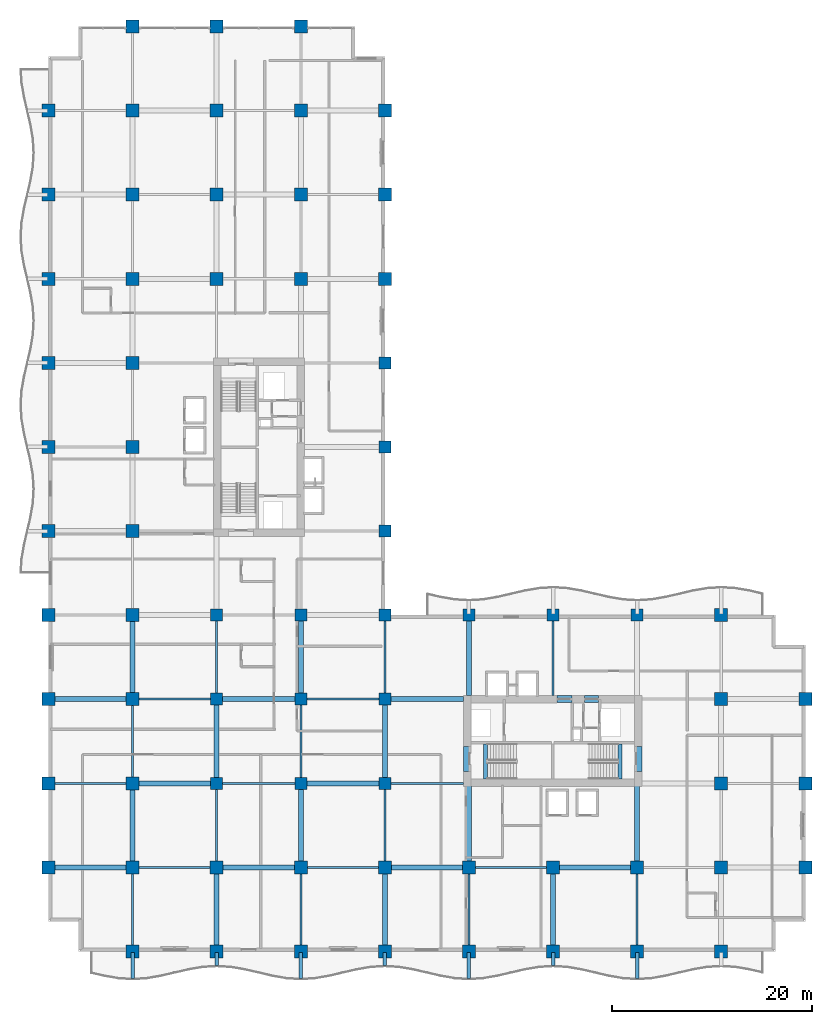
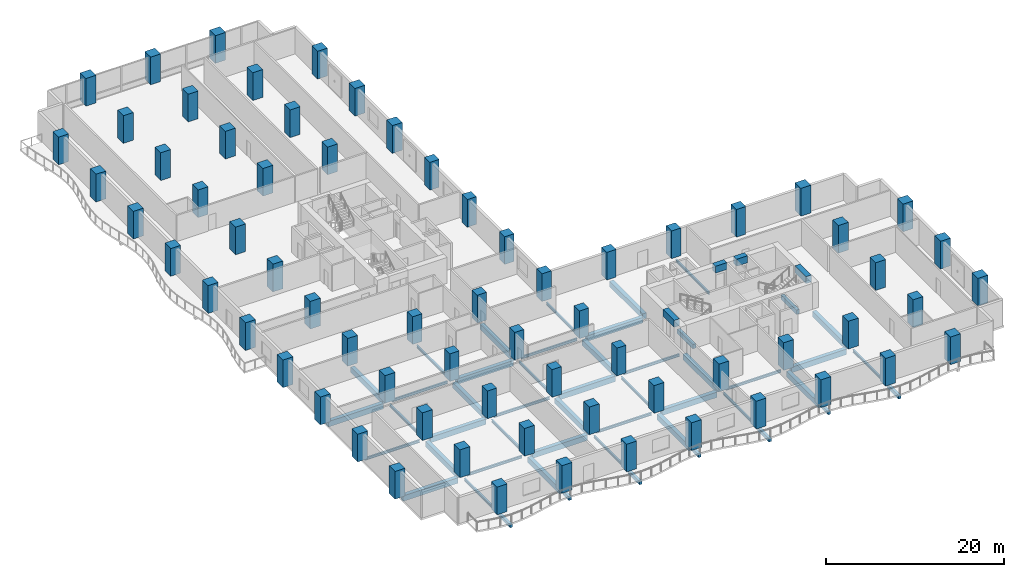
# One storey, part 1 of 22: 68 columns, 53 beams.
"""IFC4 building model written with IfcOpenShell, lengths in metres."""

from ifc_helpers import new_model, si_unit, direction, frame, origin, origin_2d, place, context, subcontext, project, spatial, rectangle, i_section, extrude, material, material_profile, profile_set, type_object, element, save


model = new_model("IFC4")

# Units and contexts
model_context = context("Model", 3, precision=1e-05, world=origin(), true_north=direction((0.0, 1.0)))
body_context = subcontext(model_context, "Body", "Model", "MODEL_VIEW")
ifc_project = project(units=[si_unit("LENGTHUNIT", "METRE"), si_unit("AREAUNIT", "SQUARE_METRE"), si_unit("VOLUMEUNIT", "CUBIC_METRE"), si_unit("PLANEANGLEUNIT", "RADIAN"), si_unit("MASSUNIT", "GRAM", prefix="KILO")], contexts=[model_context])

# Site, building, storey
site_placement = place(None, origin())
site = spatial("IfcSite", under=ifc_project, at=site_placement, CompositionType="ELEMENT")
building_placement = place(site_placement, origin())
building = spatial("IfcBuilding", under=site, at=building_placement, Name="Koriwani Terraces Tower", CompositionType="ELEMENT")
storey_placement = place(building_placement, frame((0.0, 0.0, 141.800048828125)))
storey = spatial("IfcBuildingStorey", under=building, at=storey_placement, Name="L34", CompositionType="ELEMENT", Elevation=141.800048828125)

# Columns
ifc_material_1 = material(Name="Concrete C60/75", Category="concrete")
ifc_material_profile_1 = material_profile(ifc_material_1, rectangle(XDim=1.199951171875, YDim=1.199951171875, at=origin_2d()), Name="Concrete C60/75", Category="LoadBearing")
ifc_profile_set_1 = profile_set([ifc_material_profile_1], Name="Concrete C60/75")
column_type_1 = type_object("IfcColumnType", Name="COL_RC_1200X1200", PredefinedType="COLUMN", material=ifc_profile_set_1)
for number, where, z_axis, x_axis, name in (
    (1, (16.800048828125, 16.800048828125, 0.0), (0.0, 0.0, 1.0), (1.0, 0.0, 0.0), "L34 Column 3/C"),
    (2, (16.800048828125, 25.199951171875, 0.0), (0.0, 0.0, 1.0), (1.0, 0.0, 0.0), "L34 Column 3/D"),
    (3, (16.800048828125, 33.60009765625, 0.0), (0.0, 0.0, 1.0), (1.0, 0.0, 0.0), "L34 Column 3/E"),
    (4, (25.199951171875, 16.800048828125, 0.0), (0.0, 0.0, 1.0), (1.0, 0.0, 0.0), "L34 Column 4/C"),
    (5, (25.199951171875, 25.199951171875, 0.0), (0.0, 0.0, 1.0), (1.0, 0.0, 0.0), "L34 Column 4/D"),
    (6, (25.199951171875, 33.60009765625, 0.0), (0.0, 0.0, 1.0), (1.0, 0.0, 0.0), "L34 Column 4/E"),
    (7, (33.60009765625, 16.800048828125, 0.0), (0.0, 0.0, 1.0), (1.0, 0.0, 0.0), "L34 Column 5/C"),
    (8, (33.60009765625, 25.199951171875, 0.0), (0.0, 0.0, 1.0), (1.0, 0.0, 0.0), "L34 Column 5/D"),
    (9, (33.60009765625, 33.60009765625, 0.0), (0.0, 0.0, 1.0), (1.0, 0.0, 0.0), "L34 Column 5/E"),
    (10, (33.60009765625, 42.0, 0.0), (0.0, 0.0, 1.0), (1.0, 0.0, 0.0), "L34 Column 5/F"),
    (11, (33.60009765625, 50.39990234375, 0.0), (0.0, 0.0, 1.0), (1.0, 0.0, 0.0), "L34 Column 5/G"),
    (12, (33.60009765625, 58.800048828125, 0.0), (0.0, 0.0, 1.0), (1.0, 0.0, 0.0), "L34 Column 5/H"),
    (13, (42.0, 33.60009765625, 0.0), (0.0, 0.0, 1.0), (1.0, 0.0, 0.0), "L34 Column 6/E"),
    (14, (50.39990234375, 33.60009765625, 0.0), (0.0, 0.0, 1.0), (1.0, 0.0, 0.0), "L34 Column 7/E"),
    (15, (58.800048828125, 33.60009765625, 0.0), (0.0, 0.0, 1.0), (1.0, 0.0, 0.0), "L34 Column 8/E"),
):
    element("IfcColumn", number, at=place(storey_placement, frame(where, z_axis=z_axis, x_axis=x_axis)), inside=storey, type_object=column_type_1, Name=name, PredefinedType="COLUMN", context=body_context, shape_type="SweptSolid", body=[
        extrude(rectangle(XDim=1.199951171875, YDim=1.199951171875, at=origin_2d()), origin(), (0.0, 0.0, 1.0), 3.800048828125),
    ])
ifc_material_profile_2 = material_profile(ifc_material_1, rectangle(XDim=1.300048828125, YDim=1.300048828125, at=origin_2d()), Name="Concrete C60/75", Category="LoadBearing")
ifc_profile_set_2 = profile_set([ifc_material_profile_2], Name="Concrete C60/75")
column_type_2 = type_object("IfcColumnType", Name="COL_RC_1300X1300", PredefinedType="COLUMN", material=ifc_profile_set_2)
for number, where, z_axis, x_axis, name in (
    (16, (0.0, 8.39990234375, 0.0), (0.0, 0.0, 1.0), (1.0, 0.0, 0.0), "L34 Column 1/B"),
    (17, (0.0, 16.800048828125, 0.0), (0.0, 0.0, 1.0), (1.0, 0.0, 0.0), "L34 Column 1/C"),
    (18, (0.0, 25.199951171875, 0.0), (0.0, 0.0, 1.0), (1.0, 0.0, 0.0), "L34 Column 1/D"),
    (19, (0.0, 33.60009765625, 0.0), (0.0, 0.0, 1.0), (1.0, 0.0, 0.0), "L34 Column 1/E"),
    (20, (0.0, 42.0, 0.0), (0.0, 0.0, 1.0), (1.0, 0.0, 0.0), "L34 Column 1/F"),
    (21, (0.0, 50.39990234375, 0.0), (0.0, 0.0, 1.0), (1.0, 0.0, 0.0), "L34 Column 1/G"),
    (22, (0.0, 58.800048828125, 0.0), (0.0, 0.0, 1.0), (1.0, 0.0, 0.0), "L34 Column 1/H"),
    (23, (0.0, 67.199951171875, 0.0), (0.0, 0.0, 1.0), (1.0, 0.0, 0.0), "L34 Column 1/I"),
    (24, (0.0, 75.60009765625, 0.0), (0.0, 0.0, 1.0), (1.0, 0.0, 0.0), "L34 Column 1/J"),
    (25, (0.0, 84.0, 0.0), (0.0, 0.0, 1.0), (1.0, 0.0, 0.0), "L34 Column 1/K"),
    (26, (8.39990234375, 0.0, 0.0), (0.0, 0.0, 1.0), (1.0, 0.0, 0.0), "L34 Column 2/A"),
    (27, (8.39990234375, 8.39990234375, 0.0), (0.0, 0.0, 1.0), (1.0, 0.0, 0.0), "L34 Column 2/B"),
    (28, (8.39990234375, 16.800048828125, 0.0), (0.0, 0.0, 1.0), (1.0, 0.0, 0.0), "L34 Column 2/C"),
    (29, (8.39990234375, 25.199951171875, 0.0), (0.0, 0.0, 1.0), (1.0, 0.0, 0.0), "L34 Column 2/D"),
    (30, (8.39990234375, 33.60009765625, 0.0), (0.0, 0.0, 1.0), (1.0, 0.0, 0.0), "L34 Column 2/E"),
    (31, (8.39990234375, 42.0, 0.0), (0.0, 0.0, 1.0), (1.0, 0.0, 0.0), "L34 Column 2/F"),
    (32, (8.39990234375, 50.39990234375, 0.0), (0.0, 0.0, 1.0), (1.0, 0.0, 0.0), "L34 Column 2/G"),
    (33, (8.39990234375, 58.800048828125, 0.0), (0.0, 0.0, 1.0), (1.0, 0.0, 0.0), "L34 Column 2/H"),
    (34, (8.39990234375, 67.199951171875, 0.0), (0.0, 0.0, 1.0), (1.0, 0.0, 0.0), "L34 Column 2/I"),
    (35, (8.39990234375, 75.60009765625, 0.0), (0.0, 0.0, 1.0), (1.0, 0.0, 0.0), "L34 Column 2/J"),
    (36, (8.39990234375, 84.0, 0.0), (0.0, 0.0, 1.0), (1.0, 0.0, 0.0), "L34 Column 2/K"),
    (37, (8.39990234375, 92.39990234375, 0.0), (0.0, 0.0, 1.0), (1.0, 0.0, 0.0), "L34 Column 2/L"),
    (38, (16.800048828125, 0.0, 0.0), (0.0, 0.0, 1.0), (1.0, 0.0, 0.0), "L34 Column 3/A"),
    (39, (16.800048828125, 8.39990234375, 0.0), (0.0, 0.0, 1.0), (1.0, 0.0, 0.0), "L34 Column 3/B"),
    (40, (16.800048828125, 67.199951171875, 0.0), (0.0, 0.0, 1.0), (1.0, 0.0, 0.0), "L34 Column 3/I"),
    (41, (16.800048828125, 75.60009765625, 0.0), (0.0, 0.0, 1.0), (1.0, 0.0, 0.0), "L34 Column 3/J"),
    (42, (16.800048828125, 84.0, 0.0), (0.0, 0.0, 1.0), (1.0, 0.0, 0.0), "L34 Column 3/K"),
    (43, (16.800048828125, 92.39990234375, 0.0), (0.0, 0.0, 1.0), (1.0, 0.0, 0.0), "L34 Column 3/L"),
    (44, (25.199951171875, 0.0, 0.0), (0.0, 0.0, 1.0), (1.0, 0.0, 0.0), "L34 Column 4/A"),
    (45, (25.199951171875, 8.39990234375, 0.0), (0.0, 0.0, 1.0), (1.0, 0.0, 0.0), "L34 Column 4/B"),
    (46, (25.199951171875, 67.199951171875, 0.0), (0.0, 0.0, 1.0), (1.0, 0.0, 0.0), "L34 Column 4/I"),
    (47, (25.199951171875, 75.60009765625, 0.0), (0.0, 0.0, 1.0), (1.0, 0.0, 0.0), "L34 Column 4/J"),
    (48, (25.199951171875, 84.0, 0.0), (0.0, 0.0, 1.0), (1.0, 0.0, 0.0), "L34 Column 4/K"),
    (49, (25.199951171875, 92.39990234375, 0.0), (0.0, 0.0, 1.0), (1.0, 0.0, 0.0), "L34 Column 4/L"),
    (50, (33.60009765625, 0.0, 0.0), (0.0, 0.0, 1.0), (1.0, 0.0, 0.0), "L34 Column 5/A"),
    (51, (33.60009765625, 8.39990234375, 0.0), (0.0, 0.0, 1.0), (1.0, 0.0, 0.0), "L34 Column 5/B"),
    (52, (33.60009765625, 67.199951171875, 0.0), (0.0, 0.0, 1.0), (1.0, 0.0, 0.0), "L34 Column 5/I"),
    (53, (33.60009765625, 75.60009765625, 0.0), (0.0, 0.0, 1.0), (1.0, 0.0, 0.0), "L34 Column 5/J"),
    (54, (33.60009765625, 84.0, 0.0), (0.0, 0.0, 1.0), (1.0, 0.0, 0.0), "L34 Column 5/K"),
    (55, (42.0, 0.0, 0.0), (0.0, 0.0, 1.0), (1.0, 0.0, 0.0), "L34 Column 6/A"),
    (56, (42.0, 8.39990234375, 0.0), (0.0, 0.0, 1.0), (1.0, 0.0, 0.0), "L34 Column 6/B"),
    (57, (50.39990234375, 0.0, 0.0), (0.0, 0.0, 1.0), (1.0, 0.0, 0.0), "L34 Column 7/A"),
    (58, (50.39990234375, 8.39990234375, 0.0), (0.0, 0.0, 1.0), (1.0, 0.0, 0.0), "L34 Column 7/B"),
    (59, (58.800048828125, 0.0, 0.0), (0.0, 0.0, 1.0), (1.0, 0.0, 0.0), "L34 Column 8/A"),
    (60, (58.800048828125, 8.39990234375, 0.0), (0.0, 0.0, 1.0), (1.0, 0.0, 0.0), "L34 Column 8/B"),
    (61, (67.199951171875, 0.0, 0.0), (0.0, 0.0, 1.0), (1.0, 0.0, 0.0), "L34 Column 9/A"),
    (62, (67.199951171875, 8.39990234375, 0.0), (0.0, 0.0, 1.0), (1.0, 0.0, 0.0), "L34 Column 9/B"),
    (63, (67.199951171875, 16.800048828125, 0.0), (0.0, 0.0, 1.0), (1.0, 0.0, 0.0), "L34 Column 9/C"),
    (64, (67.199951171875, 25.199951171875, 0.0), (0.0, 0.0, 1.0), (1.0, 0.0, 0.0), "L34 Column 9/D"),
    (65, (67.199951171875, 33.60009765625, 0.0), (0.0, 0.0, 1.0), (1.0, 0.0, 0.0), "L34 Column 9/E"),
    (66, (75.60009765625, 8.39990234375, 0.0), (0.0, 0.0, 1.0), (1.0, 0.0, 0.0), "L34 Column 10/B"),
    (67, (75.60009765625, 16.800048828125, 0.0), (0.0, 0.0, 1.0), (1.0, 0.0, 0.0), "L34 Column 10/C"),
    (68, (75.60009765625, 25.199951171875, 0.0), (0.0, 0.0, 1.0), (1.0, 0.0, 0.0), "L34 Column 10/D"),
):
    element("IfcColumn", number, at=place(storey_placement, frame(where, z_axis=z_axis, x_axis=x_axis)), inside=storey, type_object=column_type_2, Name=name, PredefinedType="COLUMN", context=body_context, shape_type="SweptSolid", body=[
        extrude(rectangle(XDim=1.300048828125, YDim=1.300048828125, at=origin_2d()), origin(), (0.0, 0.0, 1.0), 3.800048828125),
    ])

# Beams
ifc_material_2 = material(Name="Concrete C40/50", Category="concrete")
ifc_material_profile_3 = material_profile(ifc_material_2, rectangle(XDim=0.35009765625, YDim=0.449951171875, at=origin_2d()), Name="Concrete C40/50", Category="LoadBearing")
ifc_profile_set_3 = profile_set([ifc_material_profile_3], Name="Concrete C40/50")
beam_type_1 = type_object("IfcBeamType", Name="BEAM_RC_BALCONY_RIB_350X450", PredefinedType="JOIST", material=ifc_profile_set_3)
beam_1_placement = place(storey_placement, frame((8.39990234375, -2.699951171875, -0.47509765625), z_axis=(0.0, 1.0, 0.0), x_axis=(-1.0, 0.0, 0.0)))
element("IfcBeam", 69, at=beam_1_placement, inside=storey, type_object=beam_type_1, Name="L34 Balcony Bracket Rib S-1", PredefinedType="JOIST", context=body_context, shape_type="SweptSolid", body=[
    extrude(rectangle(XDim=0.35009765625, YDim=0.449951171875, at=origin_2d()), origin(), (0.0, 0.0, 1.0), 2.599853515625),
])
beam_2_placement = place(storey_placement, frame((16.800048828125, -1.39990234375, -0.47509765625), z_axis=(0.0, 1.0, 0.0), x_axis=(-1.0, 0.0, 0.0)))
element("IfcBeam", 70, at=beam_2_placement, inside=storey, type_object=beam_type_1, Name="L34 Balcony Bracket Rib S-2", PredefinedType="JOIST", context=body_context, shape_type="SweptSolid", body=[
    extrude(rectangle(XDim=0.35009765625, YDim=0.449951171875, at=origin_2d()), origin(), (0.0, 0.0, 1.0), 1.2998046875),
])
beam_3_placement = place(storey_placement, frame((25.199951171875, -2.699951171875, -0.47509765625), z_axis=(0.0, 1.0, 0.0), x_axis=(-1.0, 0.0, 0.0)))
element("IfcBeam", 71, at=beam_3_placement, inside=storey, type_object=beam_type_1, Name="L34 Balcony Bracket Rib S-3", PredefinedType="JOIST", context=body_context, shape_type="SweptSolid", body=[
    extrude(rectangle(XDim=0.35009765625, YDim=0.449951171875, at=origin_2d()), origin(), (0.0, 0.0, 1.0), 2.599853515625),
])
beam_4_placement = place(storey_placement, frame((33.60009765625, -1.39990234375, -0.47509765625), z_axis=(0.0, 1.0, 0.0), x_axis=(-1.0, 0.0, 0.0)))
element("IfcBeam", 72, at=beam_4_placement, inside=storey, type_object=beam_type_1, Name="L34 Balcony Bracket Rib S-4", PredefinedType="JOIST", context=body_context, shape_type="SweptSolid", body=[
    extrude(rectangle(XDim=0.35009765625, YDim=0.449951171875, at=origin_2d()), origin(), (0.0, 0.0, 1.0), 1.2998046875),
])
beam_5_placement = place(storey_placement, frame((42.0, -2.699951171875, -0.47509765625), z_axis=(0.0, 1.0, 0.0), x_axis=(-1.0, 0.0, 0.0)))
element("IfcBeam", 73, at=beam_5_placement, inside=storey, type_object=beam_type_1, Name="L34 Balcony Bracket Rib S-5", PredefinedType="JOIST", context=body_context, shape_type="SweptSolid", body=[
    extrude(rectangle(XDim=0.35009765625, YDim=0.449951171875, at=origin_2d()), origin(), (0.0, 0.0, 1.0), 2.599853515625),
])
beam_6_placement = place(storey_placement, frame((50.39990234375, -1.39990234375, -0.47509765625), z_axis=(0.0, 1.0, 0.0), x_axis=(-1.0, 0.0, 0.0)))
element("IfcBeam", 74, at=beam_6_placement, inside=storey, type_object=beam_type_1, Name="L34 Balcony Bracket Rib S-6", PredefinedType="JOIST", context=body_context, shape_type="SweptSolid", body=[
    extrude(rectangle(XDim=0.35009765625, YDim=0.449951171875, at=origin_2d()), origin(), (0.0, 0.0, 1.0), 1.2998046875),
])
beam_7_placement = place(storey_placement, frame((58.800048828125, -2.699951171875, -0.47509765625), z_axis=(0.0, 1.0, 0.0), x_axis=(-1.0, 0.0, 0.0)))
element("IfcBeam", 75, at=beam_7_placement, inside=storey, type_object=beam_type_1, Name="L34 Balcony Bracket Rib S-7", PredefinedType="JOIST", context=body_context, shape_type="SweptSolid", body=[
    extrude(rectangle(XDim=0.35009765625, YDim=0.449951171875, at=origin_2d()), origin(), (0.0, 0.0, 1.0), 2.599853515625),
])
ifc_material_profile_4 = material_profile(ifc_material_1, rectangle(XDim=0.699951171875, YDim=0.949951171875, at=origin_2d()), Name="Concrete C60/75", Category="LoadBearing")
ifc_profile_set_4 = profile_set([ifc_material_profile_4], Name="Concrete C60/75")
beam_type_2 = type_object("IfcBeamType", Name="BEAM_RC_COUPLING_700X950", PredefinedType="LINTEL", material=ifc_profile_set_4)
beam_8_placement = place(storey_placement, frame((50.800048828125, 25.199951171875, 3.074951171875), z_axis=(1.0, 0.0, 0.0), x_axis=(0.0, 1.0, 0.0)))
element("IfcBeam", 76, at=beam_8_placement, inside=storey, type_object=beam_type_2, Name="L34 Core Coupling Lintel Beam EN1", PredefinedType="LINTEL", context=body_context, shape_type="SweptSolid", body=[
    extrude(rectangle(XDim=0.699951171875, YDim=0.949951171875, at=origin_2d()), origin(), (0.0, 0.0, 1.0), 1.47998046875),
])
beam_9_placement = place(storey_placement, frame((53.550048828125, 25.199951171875, 3.074951171875), z_axis=(1.0, 0.0, 0.0), x_axis=(0.0, 1.0, 0.0)))
element("IfcBeam", 77, at=beam_9_placement, inside=storey, type_object=beam_type_2, Name="L34 Core Coupling Lintel Beam EN2", PredefinedType="LINTEL", context=body_context, shape_type="SweptSolid", body=[
    extrude(rectangle(XDim=0.699951171875, YDim=0.949951171875, at=origin_2d()), origin(), (0.0, 0.0, 1.0), 1.39990234375),
])
for number, where, z_axis, x_axis, name in (
    (78, (41.824951171875, 18.0, 3.074951171875), (0.0, 1.0, 0.0), (-1.0, 0.0, 0.0), "L34 Core Coupling Lintel Beam EW"),
    (79, (58.925048828125, 18.0, 3.074951171875), (0.0, 1.0, 0.0), (-1.0, 0.0, 0.0), "L34 Core Coupling Lintel Beam EE"),
):
    element("IfcBeam", number, at=place(storey_placement, frame(where, z_axis=z_axis, x_axis=x_axis)), inside=storey, type_object=beam_type_2, Name=name, PredefinedType="LINTEL", context=body_context, shape_type="SweptSolid", body=[
        extrude(rectangle(XDim=0.699951171875, YDim=0.949951171875, at=origin_2d()), origin(), (0.0, 0.0, 1.0), 2.5),
    ])
ifc_material_profile_5 = material_profile(ifc_material_2, rectangle(XDim=0.39990234375, YDim=0.60009765625, at=origin_2d()), Name="Concrete C40/50", Category="LoadBearing")
ifc_profile_set_5 = profile_set([ifc_material_profile_5], Name="Concrete C40/50")
beam_type_3 = type_object("IfcBeamType", Name="BEAM_RC_GRID_400X600", PredefinedType="BEAM", material=ifc_profile_set_5)
for number, where, z_axis, x_axis, name in (
    (80, (43.655029296875, 17.25, -0.300048828125), (0.0, 1.0, 0.0), (-1.0, 0.0, 0.0), "L34 Stairwell Header Trimmer Beam ST-E1"),
    (81, (57.094970703125, 17.25, -0.300048828125), (0.0, 1.0, 0.0), (-1.0, 0.0, 0.0), "L34 Stairwell Header Trimmer Beam ST-E2"),
):
    element("IfcBeam", number, at=place(storey_placement, frame(where, z_axis=z_axis, x_axis=x_axis)), inside=storey, type_object=beam_type_3, Name=name, PredefinedType="BEAM", context=body_context, shape_type="SweptSolid", body=[
        extrude(rectangle(XDim=0.39990234375, YDim=0.60009765625, at=origin_2d()), origin(), (0.0, 0.0, 1.0), 3.5),
    ])
ifc_material_3 = material(Name="Concrete C50/60", Category="concrete")
ifc_material_profile_6 = material_profile(ifc_material_3, rectangle(XDim=0.5, YDim=0.75, at=origin_2d()), Name="Concrete C50/60", Category="LoadBearing")
ifc_profile_set_6 = profile_set([ifc_material_profile_6], Name="Concrete C50/60")
beam_type_4 = type_object("IfcBeamType", Name="BEAM_RC_GRID_500X750", PredefinedType="BEAM", material=ifc_profile_set_6)
for number, where, z_axis, x_axis, name in (
    (82, (0.6298828125, 8.39990234375, -0.625), (1.0, 0.0, 0.0), (0.0, 1.0, 0.0), "L34 Grid Beam B (0.0-8.4m)"),
    (83, (17.429931640625, 8.39990234375, -0.625), (1.0, 0.0, 0.0), (0.0, 1.0, 0.0), "L34 Grid Beam B (16.8-25.2m)"),
    (84, (34.22998046875, 8.39990234375, -0.625), (1.0, 0.0, 0.0), (0.0, 1.0, 0.0), "L34 Grid Beam B (33.6-42.0m)"),
):
    element("IfcBeam", number, at=place(storey_placement, frame(where, z_axis=z_axis, x_axis=x_axis)), inside=storey, type_object=beam_type_4, Name=name, PredefinedType="BEAM", context=body_context, shape_type="SweptSolid", body=[
        extrude(rectangle(XDim=0.5, YDim=0.75, at=origin_2d()), origin(), (0.0, 0.0, 1.0), 7.14013671875),
    ])
beam_10_placement = place(storey_placement, frame((51.030029296875, 8.39990234375, -0.625), z_axis=(1.0, 0.0, 0.0), x_axis=(0.0, 1.0, 0.0)))
element("IfcBeam", 85, at=beam_10_placement, inside=storey, type_object=beam_type_4, Name="L34 Grid Beam B (50.4-58.8m)", PredefinedType="BEAM", context=body_context, shape_type="SweptSolid", body=[
    extrude(rectangle(XDim=0.5, YDim=0.75, at=origin_2d()), origin(), (0.0, 0.0, 1.0), 7.139892578125),
])
beam_11_placement = place(storey_placement, frame((9.030029296875, 16.800048828125, -0.625), z_axis=(1.0, 0.0, 0.0), x_axis=(0.0, 1.0, 0.0)))
element("IfcBeam", 86, at=beam_11_placement, inside=storey, type_object=beam_type_4, Name="L34 Grid Beam C (8.4-16.8m)", PredefinedType="BEAM", context=body_context, shape_type="SweptSolid", body=[
    extrude(rectangle(XDim=0.5, YDim=0.75, at=origin_2d()), origin(), (0.0, 0.0, 1.0), 7.18994140625),
])
beam_12_placement = place(storey_placement, frame((25.780029296875, 16.800048828125, -0.625), z_axis=(1.0, 0.0, 0.0), x_axis=(0.0, 1.0, 0.0)))
element("IfcBeam", 87, at=beam_12_placement, inside=storey, type_object=beam_type_4, Name="L34 Grid Beam C (25.2-33.6m)", PredefinedType="BEAM", context=body_context, shape_type="SweptSolid", body=[
    extrude(rectangle(XDim=0.5, YDim=0.75, at=origin_2d()), origin(), (0.0, 0.0, 1.0), 7.239990234375),
])
beam_13_placement = place(storey_placement, frame((0.6298828125, 25.199951171875, -0.625), z_axis=(1.0, 0.0, 0.0), x_axis=(0.0, 1.0, 0.0)))
element("IfcBeam", 88, at=beam_13_placement, inside=storey, type_object=beam_type_4, Name="L34 Grid Beam D (0.0-8.4m)", PredefinedType="BEAM", context=body_context, shape_type="SweptSolid", body=[
    extrude(rectangle(XDim=0.5, YDim=0.75, at=origin_2d()), origin(), (0.0, 0.0, 1.0), 7.14013671875),
])
beam_14_placement = place(storey_placement, frame((17.3798828125, 25.199951171875, -0.625), z_axis=(1.0, 0.0, 0.0), x_axis=(0.0, 1.0, 0.0)))
element("IfcBeam", 89, at=beam_14_placement, inside=storey, type_object=beam_type_4, Name="L34 Grid Beam D (16.8-25.2m)", PredefinedType="BEAM", context=body_context, shape_type="SweptSolid", body=[
    extrude(rectangle(XDim=0.5, YDim=0.75, at=origin_2d()), origin(), (0.0, 0.0, 1.0), 7.240234375),
])
beam_15_placement = place(storey_placement, frame((34.179931640625, 25.199951171875, -0.625), z_axis=(1.0, 0.0, 0.0), x_axis=(0.0, 1.0, 0.0)))
element("IfcBeam", 90, at=beam_15_placement, inside=storey, type_object=beam_type_4, Name="L34 Grid Beam D (33.6-42.0m)", PredefinedType="BEAM", context=body_context, shape_type="SweptSolid", body=[
    extrude(rectangle(XDim=0.5, YDim=0.75, at=origin_2d()), origin(), (0.0, 0.0, 1.0), 7.2900390625),
])
for number, where, z_axis, x_axis, name in (
    (91, (8.39990234375, 9.030029296875, -0.625), (0.0, 1.0, 0.0), (-1.0, 0.0, 0.0), "L34 Grid Beam 2 (8.4-16.8m)"),
    (92, (8.39990234375, 25.830078125, -0.625), (0.0, 1.0, 0.0), (-1.0, 0.0, 0.0), "L34 Grid Beam 2 (25.2-33.6m)"),
):
    element("IfcBeam", number, at=place(storey_placement, frame(where, z_axis=z_axis, x_axis=x_axis)), inside=storey, type_object=beam_type_4, Name=name, PredefinedType="BEAM", context=body_context, shape_type="SweptSolid", body=[
        extrude(rectangle(XDim=0.5, YDim=0.75, at=origin_2d()), origin(), (0.0, 0.0, 1.0), 7.139892578125),
    ])
beam_16_placement = place(storey_placement, frame((16.800048828125, 0.6298828125, -0.625), z_axis=(0.0, 1.0, 0.0), x_axis=(-1.0, 0.0, 0.0)))
element("IfcBeam", 93, at=beam_16_placement, inside=storey, type_object=beam_type_4, Name="L34 Grid Beam 3 (0.0-8.4m)", PredefinedType="BEAM", context=body_context, shape_type="SweptSolid", body=[
    extrude(rectangle(XDim=0.5, YDim=0.75, at=origin_2d()), origin(), (0.0, 0.0, 1.0), 7.14013671875),
])
beam_17_placement = place(storey_placement, frame((16.800048828125, 17.3798828125, -0.625), z_axis=(0.0, 1.0, 0.0), x_axis=(-1.0, 0.0, 0.0)))
element("IfcBeam", 94, at=beam_17_placement, inside=storey, type_object=beam_type_4, Name="L34 Grid Beam 3 (16.8-25.2m)", PredefinedType="BEAM", context=body_context, shape_type="SweptSolid", body=[
    extrude(rectangle(XDim=0.5, YDim=0.75, at=origin_2d()), origin(), (0.0, 0.0, 1.0), 7.240234375),
])
beam_18_placement = place(storey_placement, frame((25.199951171875, 9.030029296875, -0.625), z_axis=(0.0, 1.0, 0.0), x_axis=(-1.0, 0.0, 0.0)))
element("IfcBeam", 95, at=beam_18_placement, inside=storey, type_object=beam_type_4, Name="L34 Grid Beam 4 (8.4-16.8m)", PredefinedType="BEAM", context=body_context, shape_type="SweptSolid", body=[
    extrude(rectangle(XDim=0.5, YDim=0.75, at=origin_2d()), origin(), (0.0, 0.0, 1.0), 7.18994140625),
])
beam_19_placement = place(storey_placement, frame((25.199951171875, 25.780029296875, -0.625), z_axis=(0.0, 1.0, 0.0), x_axis=(-1.0, 0.0, 0.0)))
element("IfcBeam", 96, at=beam_19_placement, inside=storey, type_object=beam_type_4, Name="L34 Grid Beam 4 (25.2-33.6m)", PredefinedType="BEAM", context=body_context, shape_type="SweptSolid", body=[
    extrude(rectangle(XDim=0.5, YDim=0.75, at=origin_2d()), origin(), (0.0, 0.0, 1.0), 7.239990234375),
])
beam_20_placement = place(storey_placement, frame((33.60009765625, 0.6298828125, -0.625), z_axis=(0.0, 1.0, 0.0), x_axis=(-1.0, 0.0, 0.0)))
element("IfcBeam", 97, at=beam_20_placement, inside=storey, type_object=beam_type_4, Name="L34 Grid Beam 5 (0.0-8.4m)", PredefinedType="BEAM", context=body_context, shape_type="SweptSolid", body=[
    extrude(rectangle(XDim=0.5, YDim=0.75, at=origin_2d()), origin(), (0.0, 0.0, 1.0), 7.14013671875),
])
beam_21_placement = place(storey_placement, frame((33.60009765625, 17.3798828125, -0.625), z_axis=(0.0, 1.0, 0.0), x_axis=(-1.0, 0.0, 0.0)))
element("IfcBeam", 98, at=beam_21_placement, inside=storey, type_object=beam_type_4, Name="L34 Grid Beam 5 (16.8-25.2m)", PredefinedType="BEAM", context=body_context, shape_type="SweptSolid", body=[
    extrude(rectangle(XDim=0.5, YDim=0.75, at=origin_2d()), origin(), (0.0, 0.0, 1.0), 7.240234375),
])
beam_22_placement = place(storey_placement, frame((42.0, 9.030029296875, -0.625), z_axis=(0.0, 1.0, 0.0), x_axis=(-1.0, 0.0, 0.0)))
element("IfcBeam", 99, at=beam_22_placement, inside=storey, type_object=beam_type_4, Name="L34 Grid Beam 6 (8.4-16.8m)", PredefinedType="BEAM", context=body_context, shape_type="SweptSolid", body=[
    extrude(rectangle(XDim=0.5, YDim=0.75, at=origin_2d()), origin(), (0.0, 0.0, 1.0), 7.489990234375),
])
beam_23_placement = place(storey_placement, frame((42.0, 25.554931640625, -0.625), z_axis=(0.0, 1.0, 0.0), x_axis=(-1.0, 0.0, 0.0)))
element("IfcBeam", 100, at=beam_23_placement, inside=storey, type_object=beam_type_4, Name="L34 Grid Beam 6 (25.2-33.6m)", PredefinedType="BEAM", context=body_context, shape_type="SweptSolid", body=[
    extrude(rectangle(XDim=0.5, YDim=0.75, at=origin_2d()), origin(), (0.0, 0.0, 1.0), 7.465087890625),
])
beam_24_placement = place(storey_placement, frame((50.39990234375, 0.6298828125, -0.625), z_axis=(0.0, 1.0, 0.0), x_axis=(-1.0, 0.0, 0.0)))
element("IfcBeam", 101, at=beam_24_placement, inside=storey, type_object=beam_type_4, Name="L34 Grid Beam 7 (0.0-8.4m)", PredefinedType="BEAM", context=body_context, shape_type="SweptSolid", body=[
    extrude(rectangle(XDim=0.5, YDim=0.75, at=origin_2d()), origin(), (0.0, 0.0, 1.0), 7.14013671875),
])
beam_25_placement = place(storey_placement, frame((58.800048828125, 9.030029296875, -0.625), z_axis=(0.0, 1.0, 0.0), x_axis=(-1.0, 0.0, 0.0)))
element("IfcBeam", 102, at=beam_25_placement, inside=storey, type_object=beam_type_4, Name="L34 Grid Beam 8 (8.4-16.8m)", PredefinedType="BEAM", context=body_context, shape_type="SweptSolid", body=[
    extrude(rectangle(XDim=0.5, YDim=0.75, at=origin_2d()), origin(), (0.0, 0.0, 1.0), 7.489990234375),
])
ifc_material_4 = material(Name="Steel ASTM A572 Grade 50", Category="steel")
ifc_material_profile_7 = material_profile(ifc_material_4, i_section(OverallWidth=0.205078125, OverallDepth=0.35400390625, WebThickness=0.009521484375, FlangeThickness=0.016845703125, at=origin_2d()), Name="Steel ASTM A572 Grade 50", Category="LoadBearing")
ifc_profile_set_7 = profile_set([ifc_material_profile_7], Name="Steel ASTM A572 Grade 50")
beam_type_5 = type_object("IfcBeamType", Name="STEEL_BEAM_W360X79", PredefinedType="JOIST", material=ifc_profile_set_7)
for number, where, z_axis, x_axis, name in (
    (103, (9.030029296875, 8.39990234375, -0.427001953125), (1.0, 0.0, 0.0), (0.0, 1.0, 0.0), "L34 Grid Beam B (8.4-16.8m)"),
    (104, (25.830078125, 8.39990234375, -0.427001953125), (1.0, 0.0, 0.0), (0.0, 1.0, 0.0), "L34 Grid Beam B (25.2-33.6m)"),
):
    element("IfcBeam", number, at=place(storey_placement, frame(where, z_axis=z_axis, x_axis=x_axis)), inside=storey, type_object=beam_type_5, Name=name, PredefinedType="JOIST", context=body_context, shape_type="SweptSolid", body=[
        extrude(i_section(OverallWidth=0.205078125, OverallDepth=0.35400390625, WebThickness=0.009521484375, FlangeThickness=0.016845703125, at=origin_2d()), origin(), (0.0, 0.0, 1.0), 7.139892578125),
    ])
for number, where, z_axis, x_axis, name in (
    (105, (42.6298828125, 8.39990234375, -0.427001953125), (1.0, 0.0, 0.0), (0.0, 1.0, 0.0), "L34 Grid Beam B (42.0-50.4m)"),
    (106, (0.6298828125, 16.800048828125, -0.427001953125), (1.0, 0.0, 0.0), (0.0, 1.0, 0.0), "L34 Grid Beam C (0.0-8.4m)"),
):
    element("IfcBeam", number, at=place(storey_placement, frame(where, z_axis=z_axis, x_axis=x_axis)), inside=storey, type_object=beam_type_5, Name=name, PredefinedType="JOIST", context=body_context, shape_type="SweptSolid", body=[
        extrude(i_section(OverallWidth=0.205078125, OverallDepth=0.35400390625, WebThickness=0.009521484375, FlangeThickness=0.016845703125, at=origin_2d()), origin(), (0.0, 0.0, 1.0), 7.14013671875),
    ])
beam_26_placement = place(storey_placement, frame((17.3798828125, 16.800048828125, -0.427001953125), z_axis=(1.0, 0.0, 0.0), x_axis=(0.0, 1.0, 0.0)))
element("IfcBeam", 107, at=beam_26_placement, inside=storey, type_object=beam_type_5, Name="L34 Grid Beam C (16.8-25.2m)", PredefinedType="JOIST", context=body_context, shape_type="SweptSolid", body=[
    extrude(i_section(OverallWidth=0.205078125, OverallDepth=0.35400390625, WebThickness=0.009521484375, FlangeThickness=0.016845703125, at=origin_2d()), origin(), (0.0, 0.0, 1.0), 7.240234375),
])
beam_27_placement = place(storey_placement, frame((34.179931640625, 16.800048828125, -0.427001953125), z_axis=(1.0, 0.0, 0.0), x_axis=(0.0, 1.0, 0.0)))
element("IfcBeam", 108, at=beam_27_placement, inside=storey, type_object=beam_type_5, Name="L34 Grid Beam C (33.6-42.0m)", PredefinedType="JOIST", context=body_context, shape_type="SweptSolid", body=[
    extrude(i_section(OverallWidth=0.205078125, OverallDepth=0.35400390625, WebThickness=0.009521484375, FlangeThickness=0.016845703125, at=origin_2d()), origin(), (0.0, 0.0, 1.0), 7.2900390625),
])
beam_28_placement = place(storey_placement, frame((9.030029296875, 25.199951171875, -0.427001953125), z_axis=(1.0, 0.0, 0.0), x_axis=(0.0, 1.0, 0.0)))
element("IfcBeam", 109, at=beam_28_placement, inside=storey, type_object=beam_type_5, Name="L34 Grid Beam D (8.4-16.8m)", PredefinedType="JOIST", context=body_context, shape_type="SweptSolid", body=[
    extrude(i_section(OverallWidth=0.205078125, OverallDepth=0.35400390625, WebThickness=0.009521484375, FlangeThickness=0.016845703125, at=origin_2d()), origin(), (0.0, 0.0, 1.0), 7.18994140625),
])
beam_29_placement = place(storey_placement, frame((25.780029296875, 25.199951171875, -0.427001953125), z_axis=(1.0, 0.0, 0.0), x_axis=(0.0, 1.0, 0.0)))
element("IfcBeam", 110, at=beam_29_placement, inside=storey, type_object=beam_type_5, Name="L34 Grid Beam D (25.2-33.6m)", PredefinedType="JOIST", context=body_context, shape_type="SweptSolid", body=[
    extrude(i_section(OverallWidth=0.205078125, OverallDepth=0.35400390625, WebThickness=0.009521484375, FlangeThickness=0.016845703125, at=origin_2d()), origin(), (0.0, 0.0, 1.0), 7.239990234375),
])
for number, where, z_axis, x_axis, name in (
    (111, (8.39990234375, 0.6298828125, -0.427001953125), (0.0, 1.0, 0.0), (-1.0, 0.0, 0.0), "L34 Grid Beam 2 (0.0-8.4m)"),
    (112, (8.39990234375, 17.429931640625, -0.427001953125), (0.0, 1.0, 0.0), (-1.0, 0.0, 0.0), "L34 Grid Beam 2 (16.8-25.2m)"),
):
    element("IfcBeam", number, at=place(storey_placement, frame(where, z_axis=z_axis, x_axis=x_axis)), inside=storey, type_object=beam_type_5, Name=name, PredefinedType="JOIST", context=body_context, shape_type="SweptSolid", body=[
        extrude(i_section(OverallWidth=0.205078125, OverallDepth=0.35400390625, WebThickness=0.009521484375, FlangeThickness=0.016845703125, at=origin_2d()), origin(), (0.0, 0.0, 1.0), 7.14013671875),
    ])
beam_30_placement = place(storey_placement, frame((16.800048828125, 9.030029296875, -0.427001953125), z_axis=(0.0, 1.0, 0.0), x_axis=(-1.0, 0.0, 0.0)))
element("IfcBeam", 113, at=beam_30_placement, inside=storey, type_object=beam_type_5, Name="L34 Grid Beam 3 (8.4-16.8m)", PredefinedType="JOIST", context=body_context, shape_type="SweptSolid", body=[
    extrude(i_section(OverallWidth=0.205078125, OverallDepth=0.35400390625, WebThickness=0.009521484375, FlangeThickness=0.016845703125, at=origin_2d()), origin(), (0.0, 0.0, 1.0), 7.18994140625),
])
beam_31_placement = place(storey_placement, frame((16.800048828125, 25.780029296875, -0.427001953125), z_axis=(0.0, 1.0, 0.0), x_axis=(-1.0, 0.0, 0.0)))
element("IfcBeam", 114, at=beam_31_placement, inside=storey, type_object=beam_type_5, Name="L34 Grid Beam 3 (25.2-33.6m)", PredefinedType="JOIST", context=body_context, shape_type="SweptSolid", body=[
    extrude(i_section(OverallWidth=0.205078125, OverallDepth=0.35400390625, WebThickness=0.009521484375, FlangeThickness=0.016845703125, at=origin_2d()), origin(), (0.0, 0.0, 1.0), 7.239990234375),
])
beam_32_placement = place(storey_placement, frame((25.199951171875, 0.6298828125, -0.427001953125), z_axis=(0.0, 1.0, 0.0), x_axis=(-1.0, 0.0, 0.0)))
element("IfcBeam", 115, at=beam_32_placement, inside=storey, type_object=beam_type_5, Name="L34 Grid Beam 4 (0.0-8.4m)", PredefinedType="JOIST", context=body_context, shape_type="SweptSolid", body=[
    extrude(i_section(OverallWidth=0.205078125, OverallDepth=0.35400390625, WebThickness=0.009521484375, FlangeThickness=0.016845703125, at=origin_2d()), origin(), (0.0, 0.0, 1.0), 7.14013671875),
])
beam_33_placement = place(storey_placement, frame((25.199951171875, 17.3798828125, -0.427001953125), z_axis=(0.0, 1.0, 0.0), x_axis=(-1.0, 0.0, 0.0)))
element("IfcBeam", 116, at=beam_33_placement, inside=storey, type_object=beam_type_5, Name="L34 Grid Beam 4 (16.8-25.2m)", PredefinedType="JOIST", context=body_context, shape_type="SweptSolid", body=[
    extrude(i_section(OverallWidth=0.205078125, OverallDepth=0.35400390625, WebThickness=0.009521484375, FlangeThickness=0.016845703125, at=origin_2d()), origin(), (0.0, 0.0, 1.0), 7.240234375),
])
beam_34_placement = place(storey_placement, frame((33.60009765625, 9.030029296875, -0.427001953125), z_axis=(0.0, 1.0, 0.0), x_axis=(-1.0, 0.0, 0.0)))
element("IfcBeam", 117, at=beam_34_placement, inside=storey, type_object=beam_type_5, Name="L34 Grid Beam 5 (8.4-16.8m)", PredefinedType="JOIST", context=body_context, shape_type="SweptSolid", body=[
    extrude(i_section(OverallWidth=0.205078125, OverallDepth=0.35400390625, WebThickness=0.009521484375, FlangeThickness=0.016845703125, at=origin_2d()), origin(), (0.0, 0.0, 1.0), 7.18994140625),
])
beam_35_placement = place(storey_placement, frame((33.60009765625, 25.780029296875, -0.427001953125), z_axis=(0.0, 1.0, 0.0), x_axis=(-1.0, 0.0, 0.0)))
element("IfcBeam", 118, at=beam_35_placement, inside=storey, type_object=beam_type_5, Name="L34 Grid Beam 5 (25.2-33.6m)", PredefinedType="JOIST", context=body_context, shape_type="SweptSolid", body=[
    extrude(i_section(OverallWidth=0.205078125, OverallDepth=0.35400390625, WebThickness=0.009521484375, FlangeThickness=0.016845703125, at=origin_2d()), origin(), (0.0, 0.0, 1.0), 7.239990234375),
])
beam_36_placement = place(storey_placement, frame((42.0, 0.6298828125, -0.427001953125), z_axis=(0.0, 1.0, 0.0), x_axis=(-1.0, 0.0, 0.0)))
element("IfcBeam", 119, at=beam_36_placement, inside=storey, type_object=beam_type_5, Name="L34 Grid Beam 6 (0.0-8.4m)", PredefinedType="JOIST", context=body_context, shape_type="SweptSolid", body=[
    extrude(i_section(OverallWidth=0.205078125, OverallDepth=0.35400390625, WebThickness=0.009521484375, FlangeThickness=0.016845703125, at=origin_2d()), origin(), (0.0, 0.0, 1.0), 7.14013671875),
])
beam_37_placement = place(storey_placement, frame((50.39990234375, 25.554931640625, -0.427001953125), z_axis=(0.0, 1.0, 0.0), x_axis=(-1.0, 0.0, 0.0)))
element("IfcBeam", 120, at=beam_37_placement, inside=storey, type_object=beam_type_5, Name="L34 Grid Beam 7 (25.2-33.6m)", PredefinedType="JOIST", context=body_context, shape_type="SweptSolid", body=[
    extrude(i_section(OverallWidth=0.205078125, OverallDepth=0.35400390625, WebThickness=0.009521484375, FlangeThickness=0.016845703125, at=origin_2d()), origin(), (0.0, 0.0, 1.0), 7.465087890625),
])
beam_38_placement = place(storey_placement, frame((58.800048828125, 0.6298828125, -0.427001953125), z_axis=(0.0, 1.0, 0.0), x_axis=(-1.0, 0.0, 0.0)))
element("IfcBeam", 121, at=beam_38_placement, inside=storey, type_object=beam_type_5, Name="L34 Grid Beam 8 (0.0-8.4m)", PredefinedType="JOIST", context=body_context, shape_type="SweptSolid", body=[
    extrude(i_section(OverallWidth=0.205078125, OverallDepth=0.35400390625, WebThickness=0.009521484375, FlangeThickness=0.016845703125, at=origin_2d()), origin(), (0.0, 0.0, 1.0), 7.14013671875),
])

save(model, "model.ifc")
